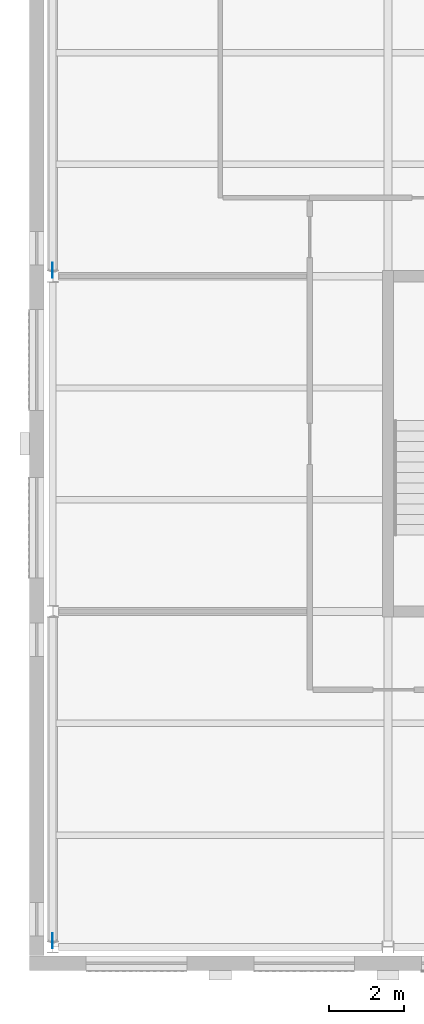
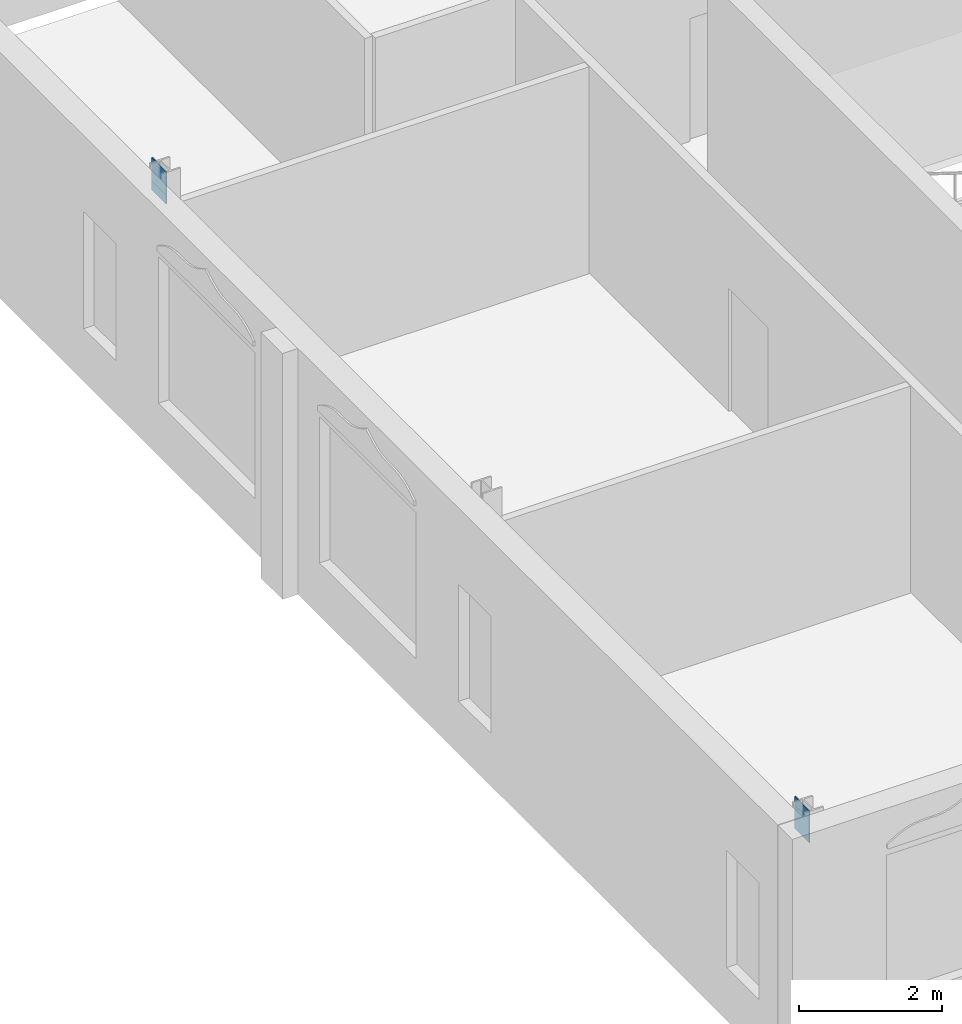
# One storey, part 8 of 11: 4 discrete accessories.
"""IFC4 building model written with IfcOpenShell, lengths in metres."""

from ifc_helpers import new_model, si_unit, direction, frame, origin, origin_2d, place, context, subcontext, project, spatial, rectangle, extrude, material, type_object, element, save


model = new_model("IFC4")

# Units and contexts
model_context = context("Model", 3, precision=1e-05, world=origin(), true_north=direction((0.0, 1.0)))
body_context = subcontext(model_context, "Body", "Model", "MODEL_VIEW")
ifc_project = project(units=[si_unit("LENGTHUNIT", "METRE"), si_unit("AREAUNIT", "SQUARE_METRE"), si_unit("VOLUMEUNIT", "CUBIC_METRE"), si_unit("PLANEANGLEUNIT", "RADIAN"), si_unit("MASSUNIT", "GRAM", prefix="KILO")], contexts=[model_context])

# Site, building, storey
site_placement = place(None, origin())
site = spatial("IfcSite", under=ifc_project, at=site_placement, CompositionType="ELEMENT")
building_placement = place(site_placement, origin())
building = spatial("IfcBuilding", under=site, at=building_placement, Name="Hortulan Conservatory and Botanical Research Centre", CompositionType="ELEMENT")
storey_placement = place(building_placement, frame((0.0, 0.0, 27.60009765625)))
storey = spatial("IfcBuildingStorey", under=building, at=storey_placement, Name="L06", CompositionType="ELEMENT", Elevation=27.60009765625)

# Discrete accessories
ifc_material = material(Name="Steel Grade 300 plate (AS/NZS 3678, 280 MPa minimum yield)", Category="steel")
discrete_accessory_type = type_object("IfcDiscreteAccessoryType", Name="End Plate 400x16", PredefinedType="BRACKET", material=ifc_material)
for number, where, z_axis, x_axis, name in (
    (1, (0.0, 0.16357421875, 3.563720703125), (0.0, 0.0, 1.0), (0.0, -1.0, 0.0), "Brace end plate"),
    (2, (0.0, 0.16357421875, 3.71630859375), (0.0, 0.0, 1.0), (0.0, -1.0, 0.0), "Brace end plate"),
    (3, (0.0, 18.16357421875, 3.563720703125), (0.0, 0.0, 1.0), (0.0, -1.0, 0.0), "Brace end plate"),
    (4, (0.0, 18.16357421875, 3.71630859375), (0.0, 0.0, 1.0), (0.0, -1.0, 0.0), "Brace end plate"),
):
    element("IfcDiscreteAccessory", number, at=place(storey_placement, frame(where, z_axis=z_axis, x_axis=x_axis)), inside=storey, type_object=discrete_accessory_type, Name=name, PredefinedType="BRACKET", context=body_context, shape_type="SweptSolid", body=[
        extrude(rectangle(XDim=0.39990234375, YDim=0.01611328125, at=origin_2d()), origin(), (0.0, 0.0, 1.0), 0.39990234375),
    ])

save(model, "model.ifc")
